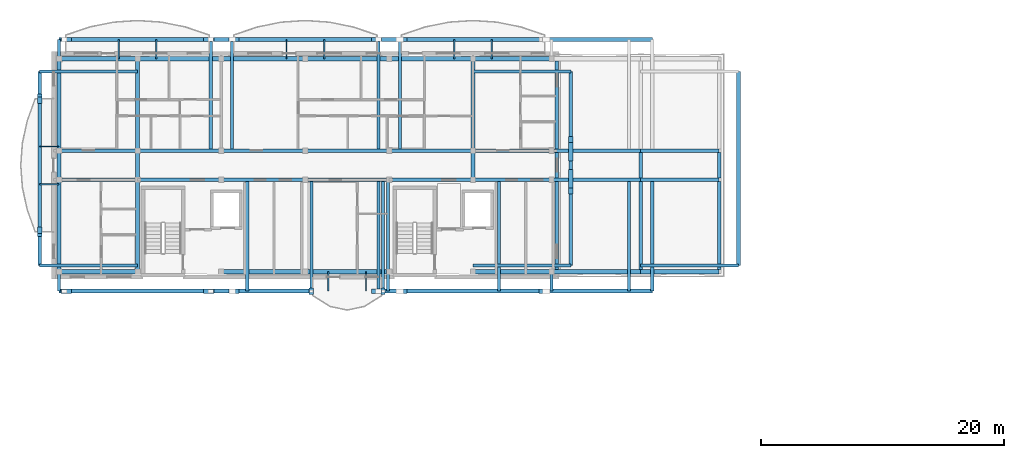
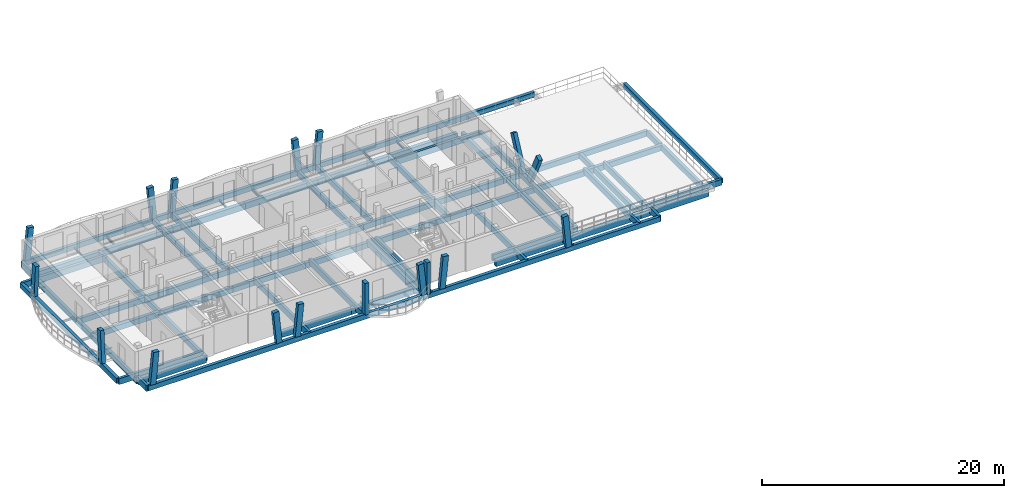
# One storey, part 5 of 42: 78 beams, 17 members.
"""IFC4 building model written with IfcOpenShell, lengths in metres."""

from ifc_helpers import new_model, si_unit, direction, frame, origin, origin_2d, place, context, subcontext, project, spatial, rectangle, i_section, extrude, material, material_profile, profile_set, type_object, element, save


model = new_model("IFC4")

# Units and contexts
model_context = context("Model", 3, precision=1e-05, world=origin(), true_north=direction((0.0, 1.0)))
body_context = subcontext(model_context, "Body", "Model", "MODEL_VIEW")
ifc_project = project(units=[si_unit("LENGTHUNIT", "METRE"), si_unit("AREAUNIT", "SQUARE_METRE"), si_unit("VOLUMEUNIT", "CUBIC_METRE"), si_unit("PLANEANGLEUNIT", "RADIAN"), si_unit("MASSUNIT", "GRAM", prefix="KILO")], contexts=[model_context])

# Site, building, storey
site_placement = place(None, origin())
site = spatial("IfcSite", under=ifc_project, at=site_placement, CompositionType="ELEMENT")
building_placement = place(site_placement, origin())
building = spatial("IfcBuilding", under=site, at=building_placement, Name="Zavelmont Quarter", CompositionType="ELEMENT")
storey_placement = place(building_placement, frame((0.0, 0.0, 24.0)))
storey = spatial("IfcBuildingStorey", under=building, at=storey_placement, Name="L07", CompositionType="ELEMENT", Elevation=24.0)

# Beams
ifc_material_1 = material(Name="Concrete C35/45", Category="concrete")
ifc_material_profile_1 = material_profile(ifc_material_1, rectangle(XDim=0.35009765625, YDim=0.60009765625, at=origin_2d()), Name="RC350X600")
ifc_profile_set_1 = profile_set([ifc_material_profile_1], Name="Concrete C35/45")
beam_type_1 = type_object("IfcBeamType", Name="BM01", PredefinedType="SPANDREL", material=ifc_profile_set_1)
beam_1_placement = place(storey_placement, frame((0.43994140625, 98.0400390625, -0.550048828125), z_axis=(1.0, 0.0, 0.0), x_axis=(0.0, 1.0, 0.0)))
element("IfcBeam", 1, at=beam_1_placement, inside=storey, type_object=beam_type_1, Name="L07 beam BM01 1/P to 2/P", PredefinedType="SPANDREL", context=body_context, shape_type="SweptSolid", body=[
    extrude(rectangle(XDim=0.35009765625, YDim=0.60009765625, at=origin_2d()), origin(), (0.0, 0.0, 1.0), 6.4599609375),
])
beam_2_placement = place(storey_placement, frame((13.800048828125, 98.0400390625, -0.550048828125), z_axis=(1.0, 0.0, 0.0), x_axis=(0.0, 1.0, 0.0)))
element("IfcBeam", 2, at=beam_2_placement, inside=storey, type_object=beam_type_1, Name="L07 beam BM01 3/P to 4/P", PredefinedType="SPANDREL", context=body_context, shape_type="SweptSolid", body=[
    extrude(rectangle(XDim=0.35009765625, YDim=0.60009765625, at=origin_2d()), origin(), (0.0, 0.0, 1.0), 6.89990234375),
])
beam_3_placement = place(storey_placement, frame((20.699951171875, 98.0400390625, -0.550048828125), z_axis=(1.0, 0.0, 0.0), x_axis=(0.0, 1.0, 0.0)))
element("IfcBeam", 3, at=beam_3_placement, inside=storey, type_object=beam_type_1, Name="L07 beam BM01 4/P to 5/P", PredefinedType="SPANDREL", context=body_context, shape_type="SweptSolid", body=[
    extrude(rectangle(XDim=0.35009765625, YDim=0.60009765625, at=origin_2d()), origin(), (0.0, 0.0, 1.0), 6.900146484375),
])
beam_4_placement = place(storey_placement, frame((34.5, 98.0400390625, -0.550048828125), z_axis=(1.0, 0.0, 0.0), x_axis=(0.0, 1.0, 0.0)))
element("IfcBeam", 4, at=beam_4_placement, inside=storey, type_object=beam_type_1, Name="L07 beam BM01 6/P to 7/P", PredefinedType="SPANDREL", context=body_context, shape_type="SweptSolid", body=[
    extrude(rectangle(XDim=0.35009765625, YDim=0.60009765625, at=origin_2d()), origin(), (0.0, 0.0, 1.0), 6.4599609375),
])
beam_5_placement = place(storey_placement, frame((40.9599609375, 98.0400390625, -0.550048828125), z_axis=(1.0, 0.0, 0.0), x_axis=(0.0, 1.0, 0.0)))
element("IfcBeam", 5, at=beam_5_placement, inside=storey, type_object=beam_type_1, Name="L07 beam BM01 7/P to 8/P", PredefinedType="SPANDREL", context=body_context, shape_type="SweptSolid", body=[
    extrude(rectangle(XDim=0.35009765625, YDim=0.60009765625, at=origin_2d()), origin(), (0.0, 0.0, 1.0), 7.340087890625),
])
for number, where, z_axis, x_axis, name in (
    (6, (48.300048828125, 98.0400390625, -0.550048828125), (1.0, 0.0, 0.0), (0.0, 1.0, 0.0), "L07 beam BM01 8/P to 9/P"),
    (7, (0.43994140625, 115.56005859375, -0.550048828125), (1.0, 0.0, 0.0), (0.0, 1.0, 0.0), "L07 beam BM01 1/S to 2/S"),
):
    element("IfcBeam", number, at=place(storey_placement, frame(where, z_axis=z_axis, x_axis=x_axis)), inside=storey, type_object=beam_type_1, Name=name, PredefinedType="SPANDREL", context=body_context, shape_type="SweptSolid", body=[
        extrude(rectangle(XDim=0.35009765625, YDim=0.60009765625, at=origin_2d()), origin(), (0.0, 0.0, 1.0), 6.4599609375),
    ])
beam_6_placement = place(storey_placement, frame((6.89990234375, 115.56005859375, -0.550048828125), z_axis=(1.0, 0.0, 0.0), x_axis=(0.0, 1.0, 0.0)))
element("IfcBeam", 8, at=beam_6_placement, inside=storey, type_object=beam_type_1, Name="L07 beam BM01 2/S to 3/S", PredefinedType="SPANDREL", context=body_context, shape_type="SweptSolid", body=[
    extrude(rectangle(XDim=0.35009765625, YDim=0.60009765625, at=origin_2d()), origin(), (0.0, 0.0, 1.0), 6.900146484375),
])
beam_7_placement = place(storey_placement, frame((13.800048828125, 115.56005859375, -0.550048828125), z_axis=(1.0, 0.0, 0.0), x_axis=(0.0, 1.0, 0.0)))
element("IfcBeam", 9, at=beam_7_placement, inside=storey, type_object=beam_type_1, Name="L07 beam BM01 3/S to 4/S", PredefinedType="SPANDREL", context=body_context, shape_type="SweptSolid", body=[
    extrude(rectangle(XDim=0.35009765625, YDim=0.60009765625, at=origin_2d()), origin(), (0.0, 0.0, 1.0), 6.89990234375),
])
beam_8_placement = place(storey_placement, frame((20.699951171875, 115.56005859375, -0.550048828125), z_axis=(1.0, 0.0, 0.0), x_axis=(0.0, 1.0, 0.0)))
element("IfcBeam", 10, at=beam_8_placement, inside=storey, type_object=beam_type_1, Name="L07 beam BM01 4/S to 5/S", PredefinedType="SPANDREL", context=body_context, shape_type="SweptSolid", body=[
    extrude(rectangle(XDim=0.35009765625, YDim=0.60009765625, at=origin_2d()), origin(), (0.0, 0.0, 1.0), 6.900146484375),
])
beam_9_placement = place(storey_placement, frame((27.60009765625, 115.56005859375, -0.550048828125), z_axis=(1.0, 0.0, 0.0), x_axis=(0.0, 1.0, 0.0)))
element("IfcBeam", 11, at=beam_9_placement, inside=storey, type_object=beam_type_1, Name="L07 beam BM01 5/S to 6/S", PredefinedType="SPANDREL", context=body_context, shape_type="SweptSolid", body=[
    extrude(rectangle(XDim=0.35009765625, YDim=0.60009765625, at=origin_2d()), origin(), (0.0, 0.0, 1.0), 6.89990234375),
])
beam_10_placement = place(storey_placement, frame((34.5, 115.56005859375, -0.550048828125), z_axis=(1.0, 0.0, 0.0), x_axis=(0.0, 1.0, 0.0)))
element("IfcBeam", 12, at=beam_10_placement, inside=storey, type_object=beam_type_1, Name="L07 beam BM01 6/S to 7/S", PredefinedType="SPANDREL", context=body_context, shape_type="SweptSolid", body=[
    extrude(rectangle(XDim=0.35009765625, YDim=0.60009765625, at=origin_2d()), origin(), (0.0, 0.0, 1.0), 6.4599609375),
])
ifc_material_profile_2 = material_profile(ifc_material_1, rectangle(XDim=0.300048828125, YDim=0.550048828125, at=origin_2d()), Name="RC300X550")
ifc_profile_set_2 = profile_set([ifc_material_profile_2], Name="Concrete C35/45")
beam_type_2 = type_object("IfcBeamType", Name="BM02", PredefinedType="SPANDREL", material=ifc_profile_set_2)
beam_11_placement = place(storey_placement, frame((0.43994140625, 105.60009765625, -0.52490234375), z_axis=(1.0, 0.0, 0.0), x_axis=(0.0, 1.0, 0.0)))
element("IfcBeam", 13, at=beam_11_placement, inside=storey, type_object=beam_type_2, Name="L07 beam BM02 1/Q to 2/Q", PredefinedType="SPANDREL", context=body_context, shape_type="SweptSolid", body=[
    extrude(rectangle(XDim=0.300048828125, YDim=0.550048828125, at=origin_2d()), origin(), (0.0, 0.0, 1.0), 6.4599609375),
])
beam_12_placement = place(storey_placement, frame((6.89990234375, 105.60009765625, -0.52490234375), z_axis=(1.0, 0.0, 0.0), x_axis=(0.0, 1.0, 0.0)))
element("IfcBeam", 14, at=beam_12_placement, inside=storey, type_object=beam_type_2, Name="L07 beam BM02 2/Q to 3/Q", PredefinedType="SPANDREL", context=body_context, shape_type="SweptSolid", body=[
    extrude(rectangle(XDim=0.300048828125, YDim=0.550048828125, at=origin_2d()), origin(), (0.0, 0.0, 1.0), 6.900146484375),
])
beam_13_placement = place(storey_placement, frame((13.800048828125, 105.60009765625, -0.52490234375), z_axis=(1.0, 0.0, 0.0), x_axis=(0.0, 1.0, 0.0)))
element("IfcBeam", 15, at=beam_13_placement, inside=storey, type_object=beam_type_2, Name="L07 beam BM02 3/Q to 4/Q", PredefinedType="SPANDREL", context=body_context, shape_type="SweptSolid", body=[
    extrude(rectangle(XDim=0.300048828125, YDim=0.550048828125, at=origin_2d()), origin(), (0.0, 0.0, 1.0), 6.89990234375),
])
beam_14_placement = place(storey_placement, frame((20.699951171875, 105.60009765625, -0.52490234375), z_axis=(1.0, 0.0, 0.0), x_axis=(0.0, 1.0, 0.0)))
element("IfcBeam", 16, at=beam_14_placement, inside=storey, type_object=beam_type_2, Name="L07 beam BM02 4/Q to 5/Q", PredefinedType="SPANDREL", context=body_context, shape_type="SweptSolid", body=[
    extrude(rectangle(XDim=0.300048828125, YDim=0.550048828125, at=origin_2d()), origin(), (0.0, 0.0, 1.0), 6.900146484375),
])
beam_15_placement = place(storey_placement, frame((27.60009765625, 105.60009765625, -0.52490234375), z_axis=(1.0, 0.0, 0.0), x_axis=(0.0, 1.0, 0.0)))
element("IfcBeam", 17, at=beam_15_placement, inside=storey, type_object=beam_type_2, Name="L07 beam BM02 5/Q to 6/Q", PredefinedType="SPANDREL", context=body_context, shape_type="SweptSolid", body=[
    extrude(rectangle(XDim=0.300048828125, YDim=0.550048828125, at=origin_2d()), origin(), (0.0, 0.0, 1.0), 6.89990234375),
])
beam_16_placement = place(storey_placement, frame((34.5, 105.60009765625, -0.52490234375), z_axis=(1.0, 0.0, 0.0), x_axis=(0.0, 1.0, 0.0)))
element("IfcBeam", 18, at=beam_16_placement, inside=storey, type_object=beam_type_2, Name="L07 beam BM02 6/Q to 7/Q", PredefinedType="SPANDREL", context=body_context, shape_type="SweptSolid", body=[
    extrude(rectangle(XDim=0.300048828125, YDim=0.550048828125, at=origin_2d()), origin(), (0.0, 0.0, 1.0), 6.4599609375),
])
beam_17_placement = place(storey_placement, frame((40.9599609375, 105.60009765625, -0.52490234375), z_axis=(1.0, 0.0, 0.0), x_axis=(0.0, 1.0, 0.0)))
element("IfcBeam", 19, at=beam_17_placement, inside=storey, type_object=beam_type_2, Name="L07 beam BM02 7/Q to 8/Q", PredefinedType="SPANDREL", context=body_context, shape_type="SweptSolid", body=[
    extrude(rectangle(XDim=0.300048828125, YDim=0.550048828125, at=origin_2d()), origin(), (0.0, 0.0, 1.0), 7.340087890625),
])
for number, where, z_axis, x_axis, name in (
    (20, (48.300048828125, 105.60009765625, -0.52490234375), (1.0, 0.0, 0.0), (0.0, 1.0, 0.0), "L07 beam BM02 8/Q to 9/Q"),
    (21, (0.43994140625, 108.0, -0.52490234375), (1.0, 0.0, 0.0), (0.0, 1.0, 0.0), "L07 beam BM02 1/R to 2/R"),
):
    element("IfcBeam", number, at=place(storey_placement, frame(where, z_axis=z_axis, x_axis=x_axis)), inside=storey, type_object=beam_type_2, Name=name, PredefinedType="SPANDREL", context=body_context, shape_type="SweptSolid", body=[
        extrude(rectangle(XDim=0.300048828125, YDim=0.550048828125, at=origin_2d()), origin(), (0.0, 0.0, 1.0), 6.4599609375),
    ])
beam_18_placement = place(storey_placement, frame((6.89990234375, 108.0, -0.52490234375), z_axis=(1.0, 0.0, 0.0), x_axis=(0.0, 1.0, 0.0)))
element("IfcBeam", 22, at=beam_18_placement, inside=storey, type_object=beam_type_2, Name="L07 beam BM02 2/R to 3/R", PredefinedType="SPANDREL", context=body_context, shape_type="SweptSolid", body=[
    extrude(rectangle(XDim=0.300048828125, YDim=0.550048828125, at=origin_2d()), origin(), (0.0, 0.0, 1.0), 6.900146484375),
])
beam_19_placement = place(storey_placement, frame((13.800048828125, 108.0, -0.52490234375), z_axis=(1.0, 0.0, 0.0), x_axis=(0.0, 1.0, 0.0)))
element("IfcBeam", 23, at=beam_19_placement, inside=storey, type_object=beam_type_2, Name="L07 beam BM02 3/R to 4/R", PredefinedType="SPANDREL", context=body_context, shape_type="SweptSolid", body=[
    extrude(rectangle(XDim=0.300048828125, YDim=0.550048828125, at=origin_2d()), origin(), (0.0, 0.0, 1.0), 6.89990234375),
])
beam_20_placement = place(storey_placement, frame((20.699951171875, 108.0, -0.52490234375), z_axis=(1.0, 0.0, 0.0), x_axis=(0.0, 1.0, 0.0)))
element("IfcBeam", 24, at=beam_20_placement, inside=storey, type_object=beam_type_2, Name="L07 beam BM02 4/R to 5/R", PredefinedType="SPANDREL", context=body_context, shape_type="SweptSolid", body=[
    extrude(rectangle(XDim=0.300048828125, YDim=0.550048828125, at=origin_2d()), origin(), (0.0, 0.0, 1.0), 6.900146484375),
])
beam_21_placement = place(storey_placement, frame((27.60009765625, 108.0, -0.52490234375), z_axis=(1.0, 0.0, 0.0), x_axis=(0.0, 1.0, 0.0)))
element("IfcBeam", 25, at=beam_21_placement, inside=storey, type_object=beam_type_2, Name="L07 beam BM02 5/R to 6/R", PredefinedType="SPANDREL", context=body_context, shape_type="SweptSolid", body=[
    extrude(rectangle(XDim=0.300048828125, YDim=0.550048828125, at=origin_2d()), origin(), (0.0, 0.0, 1.0), 6.89990234375),
])
beam_22_placement = place(storey_placement, frame((34.5, 108.0, -0.52490234375), z_axis=(1.0, 0.0, 0.0), x_axis=(0.0, 1.0, 0.0)))
element("IfcBeam", 26, at=beam_22_placement, inside=storey, type_object=beam_type_2, Name="L07 beam BM02 6/R to 7/R", PredefinedType="SPANDREL", context=body_context, shape_type="SweptSolid", body=[
    extrude(rectangle(XDim=0.300048828125, YDim=0.550048828125, at=origin_2d()), origin(), (0.0, 0.0, 1.0), 6.4599609375),
])
beam_23_placement = place(storey_placement, frame((40.9599609375, 108.0, -0.52490234375), z_axis=(1.0, 0.0, 0.0), x_axis=(0.0, 1.0, 0.0)))
element("IfcBeam", 27, at=beam_23_placement, inside=storey, type_object=beam_type_2, Name="L07 beam BM02 7/R to 8/R", PredefinedType="SPANDREL", context=body_context, shape_type="SweptSolid", body=[
    extrude(rectangle(XDim=0.300048828125, YDim=0.550048828125, at=origin_2d()), origin(), (0.0, 0.0, 1.0), 7.340087890625),
])
beam_24_placement = place(storey_placement, frame((48.300048828125, 108.0, -0.52490234375), z_axis=(1.0, 0.0, 0.0), x_axis=(0.0, 1.0, 0.0)))
element("IfcBeam", 28, at=beam_24_placement, inside=storey, type_object=beam_type_2, Name="L07 beam BM02 8/R to 9/R", PredefinedType="SPANDREL", context=body_context, shape_type="SweptSolid", body=[
    extrude(rectangle(XDim=0.300048828125, YDim=0.550048828125, at=origin_2d()), origin(), (0.0, 0.0, 1.0), 6.4599609375),
])
beam_25_placement = place(storey_placement, frame((0.43994140625, 98.0400390625, -0.52490234375), z_axis=(0.0, 1.0, 0.0), x_axis=(-1.0, 0.0, 0.0)))
element("IfcBeam", 29, at=beam_25_placement, inside=storey, type_object=beam_type_2, Name="L07 beam BM02 1/P to 1/Q", PredefinedType="SPANDREL", context=body_context, shape_type="SweptSolid", body=[
    extrude(rectangle(XDim=0.300048828125, YDim=0.550048828125, at=origin_2d()), origin(), (0.0, 0.0, 1.0), 7.56005859375),
])
beam_26_placement = place(storey_placement, frame((0.43994140625, 105.60009765625, -0.52490234375), z_axis=(0.0, 1.0, 0.0), x_axis=(-1.0, 0.0, 0.0)))
element("IfcBeam", 30, at=beam_26_placement, inside=storey, type_object=beam_type_2, Name="L07 beam BM02 1/Q to 1/R", PredefinedType="SPANDREL", context=body_context, shape_type="SweptSolid", body=[
    extrude(rectangle(XDim=0.300048828125, YDim=0.550048828125, at=origin_2d()), origin(), (0.0, 0.0, 1.0), 2.39990234375),
])
for number, where, z_axis, x_axis, name in (
    (31, (0.43994140625, 108.0, -0.52490234375), (0.0, 1.0, 0.0), (-1.0, 0.0, 0.0), "L07 beam BM02 1/R to 1/S"),
    (32, (6.89990234375, 98.0400390625, -0.52490234375), (0.0, 1.0, 0.0), (-1.0, 0.0, 0.0), "L07 beam BM02 2/P to 2/Q"),
):
    element("IfcBeam", number, at=place(storey_placement, frame(where, z_axis=z_axis, x_axis=x_axis)), inside=storey, type_object=beam_type_2, Name=name, PredefinedType="SPANDREL", context=body_context, shape_type="SweptSolid", body=[
        extrude(rectangle(XDim=0.300048828125, YDim=0.550048828125, at=origin_2d()), origin(), (0.0, 0.0, 1.0), 7.56005859375),
    ])
beam_27_placement = place(storey_placement, frame((6.89990234375, 105.60009765625, -0.52490234375), z_axis=(0.0, 1.0, 0.0), x_axis=(-1.0, 0.0, 0.0)))
element("IfcBeam", 33, at=beam_27_placement, inside=storey, type_object=beam_type_2, Name="L07 beam BM02 2/Q to 2/R", PredefinedType="SPANDREL", context=body_context, shape_type="SweptSolid", body=[
    extrude(rectangle(XDim=0.300048828125, YDim=0.550048828125, at=origin_2d()), origin(), (0.0, 0.0, 1.0), 2.39990234375),
])
beam_28_placement = place(storey_placement, frame((6.89990234375, 108.0, -0.52490234375), z_axis=(0.0, 1.0, 0.0), x_axis=(-1.0, 0.0, 0.0)))
element("IfcBeam", 34, at=beam_28_placement, inside=storey, type_object=beam_type_2, Name="L07 beam BM02 2/R to 2/S", PredefinedType="SPANDREL", context=body_context, shape_type="SweptSolid", body=[
    extrude(rectangle(XDim=0.300048828125, YDim=0.550048828125, at=origin_2d()), origin(), (0.0, 0.0, 1.0), 7.56005859375),
])
beam_29_placement = place(storey_placement, frame((34.5, 105.60009765625, -0.52490234375), z_axis=(0.0, 1.0, 0.0), x_axis=(-1.0, 0.0, 0.0)))
element("IfcBeam", 35, at=beam_29_placement, inside=storey, type_object=beam_type_2, Name="L07 beam BM02 6/Q to 6/R", PredefinedType="SPANDREL", context=body_context, shape_type="SweptSolid", body=[
    extrude(rectangle(XDim=0.300048828125, YDim=0.550048828125, at=origin_2d()), origin(), (0.0, 0.0, 1.0), 2.39990234375),
])
beam_30_placement = place(storey_placement, frame((34.5, 108.0, -0.52490234375), z_axis=(0.0, 1.0, 0.0), x_axis=(-1.0, 0.0, 0.0)))
element("IfcBeam", 36, at=beam_30_placement, inside=storey, type_object=beam_type_2, Name="L07 beam BM02 6/R to 6/S", PredefinedType="SPANDREL", context=body_context, shape_type="SweptSolid", body=[
    extrude(rectangle(XDim=0.300048828125, YDim=0.550048828125, at=origin_2d()), origin(), (0.0, 0.0, 1.0), 7.56005859375),
])
beam_31_placement = place(storey_placement, frame((41.39990234375, 98.205078125, -0.52490234375), z_axis=(0.0, 1.0, 0.0), x_axis=(-1.0, 0.0, 0.0)))
element("IfcBeam", 37, at=beam_31_placement, inside=storey, type_object=beam_type_2, Name="L07 beam BM02 7/P to 7/Q", PredefinedType="SPANDREL", context=body_context, shape_type="SweptSolid", body=[
    extrude(rectangle(XDim=0.300048828125, YDim=0.550048828125, at=origin_2d()), origin(), (0.0, 0.0, 1.0), 7.2548828125),
])
beam_32_placement = place(storey_placement, frame((41.39990234375, 105.739990234375, -0.52490234375), z_axis=(0.0, 1.0, 0.0), x_axis=(-1.0, 0.0, 0.0)))
element("IfcBeam", 38, at=beam_32_placement, inside=storey, type_object=beam_type_2, Name="L07 beam BM02 7/Q to 7/R", PredefinedType="SPANDREL", context=body_context, shape_type="SweptSolid", body=[
    extrude(rectangle(XDim=0.300048828125, YDim=0.550048828125, at=origin_2d()), origin(), (0.0, 0.0, 1.0), 2.1201171875),
])
beam_33_placement = place(storey_placement, frame((41.39990234375, 108.139892578125, -0.52490234375), z_axis=(0.0, 1.0, 0.0), x_axis=(-1.0, 0.0, 0.0)))
element("IfcBeam", 39, at=beam_33_placement, inside=storey, type_object=beam_type_2, Name="L07 beam BM02 7/R to 7/S", PredefinedType="SPANDREL", context=body_context, shape_type="SweptSolid", body=[
    extrude(rectangle(XDim=0.300048828125, YDim=0.550048828125, at=origin_2d()), origin(), (0.0, 0.0, 1.0), 7.255126953125),
])
beam_34_placement = place(storey_placement, frame((48.300048828125, 98.205078125, -0.52490234375), z_axis=(0.0, 1.0, 0.0), x_axis=(-1.0, 0.0, 0.0)))
element("IfcBeam", 40, at=beam_34_placement, inside=storey, type_object=beam_type_2, Name="L07 beam BM02 8/P to 8/Q", PredefinedType="SPANDREL", context=body_context, shape_type="SweptSolid", body=[
    extrude(rectangle(XDim=0.300048828125, YDim=0.550048828125, at=origin_2d()), origin(), (0.0, 0.0, 1.0), 7.2548828125),
])
beam_35_placement = place(storey_placement, frame((48.300048828125, 105.739990234375, -0.52490234375), z_axis=(0.0, 1.0, 0.0), x_axis=(-1.0, 0.0, 0.0)))
element("IfcBeam", 41, at=beam_35_placement, inside=storey, type_object=beam_type_2, Name="L07 beam BM02 8/Q to 8/R", PredefinedType="SPANDREL", context=body_context, shape_type="SweptSolid", body=[
    extrude(rectangle(XDim=0.300048828125, YDim=0.550048828125, at=origin_2d()), origin(), (0.0, 0.0, 1.0), 2.1201171875),
])
beam_36_placement = place(storey_placement, frame((54.760009765625, 98.205078125, -0.52490234375), z_axis=(0.0, 1.0, 0.0), x_axis=(-1.0, 0.0, 0.0)))
element("IfcBeam", 42, at=beam_36_placement, inside=storey, type_object=beam_type_2, Name="L07 beam BM02 9/P to 9/Q", PredefinedType="SPANDREL", context=body_context, shape_type="SweptSolid", body=[
    extrude(rectangle(XDim=0.300048828125, YDim=0.550048828125, at=origin_2d()), origin(), (0.0, 0.0, 1.0), 7.2548828125),
])
beam_37_placement = place(storey_placement, frame((54.760009765625, 105.739990234375, -0.52490234375), z_axis=(0.0, 1.0, 0.0), x_axis=(-1.0, 0.0, 0.0)))
element("IfcBeam", 43, at=beam_37_placement, inside=storey, type_object=beam_type_2, Name="L07 beam BM02 9/Q to 9/R", PredefinedType="SPANDREL", context=body_context, shape_type="SweptSolid", body=[
    extrude(rectangle(XDim=0.300048828125, YDim=0.550048828125, at=origin_2d()), origin(), (0.0, 0.0, 1.0), 2.1201171875),
])
ifc_material_profile_3 = material_profile(ifc_material_1, rectangle(XDim=0.300048828125, YDim=0.5, at=origin_2d()), Name="RC300X500")
ifc_profile_set_3 = profile_set([ifc_material_profile_3], Name="Concrete C35/45")
beam_type_3 = type_object("IfcBeamType", Name="BM03", PredefinedType="BEAM", material=ifc_profile_set_3)
for number, where, z_axis, x_axis, name in (
    (44, (0.43994140625, 117.14990234375, -0.25), (1.0, 0.0, 0.0), (0.0, 1.0, 0.0), "L07 beam BM03 1/S to 8/S"),
    (45, (0.43994140625, 96.449951171875, -0.25), (1.0, 0.0, 0.0), (0.0, 1.0, 0.0), "L07 beam BM03 1/P to 8/P"),
):
    element("IfcBeam", number, at=place(storey_placement, frame(where, z_axis=z_axis, x_axis=x_axis)), inside=storey, type_object=beam_type_3, Name=name, PredefinedType="BEAM", context=body_context, shape_type="SweptSolid", body=[
        extrude(rectangle(XDim=0.300048828125, YDim=0.5, at=origin_2d()), origin(), (0.0, 0.0, 1.0), 48.81005859375),
    ])
for number, where, z_axis, x_axis, name in (
    (46, (-1.14990234375, 98.550048828125, -0.25), (0.0, 1.0, 0.0), (-1.0, 0.0, 0.0), "L07 beam BM03 1/P to 1/S"),
    (47, (56.35009765625, 98.550048828125, -0.25), (0.0, 1.0, 0.0), (-1.0, 0.0, 0.0), "L07 beam BM03 9/P to 9/S"),
    (48, (42.550048828125, 98.550048828125, -0.25), (0.0, 1.0, 0.0), (-1.0, 0.0, 0.0), "L07 beam BM03 7/P to 7/S"),
):
    element("IfcBeam", number, at=place(storey_placement, frame(where, z_axis=z_axis, x_axis=x_axis)), inside=storey, type_object=beam_type_3, Name=name, PredefinedType="BEAM", context=body_context, shape_type="SweptSolid", body=[
        extrude(rectangle(XDim=0.300048828125, YDim=0.5, at=origin_2d()), origin(), (0.0, 0.0, 1.0), 15.949951171875),
    ])
ifc_material_2 = material(Name="Steel S355", Category="steel")
ifc_material_profile_4 = material_profile(ifc_material_2, i_section(OverallWidth=0.110107421875, OverallDepth=0.219970703125, WebThickness=0.005859375, FlangeThickness=0.00927734375, at=origin_2d()), Name="IPE 220")
ifc_profile_set_4 = profile_set([ifc_material_profile_4], Name="Steel S355")
beam_type_4 = type_object("IfcBeamType", Name="BM15", PredefinedType="JOIST", material=ifc_profile_set_4)
for number, where, z_axis, x_axis, name in (
    (49, (5.35009765625, 115.56005859375, -0.362060546875), (0.0, 1.0, 0.0), (-1.0, 0.0, 0.0), "L07 beam BM15 2/S to 2/S"),
    (50, (8.449951171875, 115.56005859375, -0.362060546875), (0.0, 1.0, 0.0), (-1.0, 0.0, 0.0), "L07 beam BM15 2/S to 2/S"),
    (51, (19.14990234375, 115.56005859375, -0.366943359375), (0.0, 1.0, 0.0), (-1.0, 0.0, 0.0), "L07 beam BM15 4/S to 4/S"),
    (52, (22.25, 115.56005859375, -0.366943359375), (0.0, 1.0, 0.0), (-1.0, 0.0, 0.0), "L07 beam BM15 4/S to 4/S"),
    (53, (32.949951171875, 115.56005859375, -0.362060546875), (0.0, 1.0, 0.0), (-1.0, 0.0, 0.0), "L07 beam BM15 6/S to 6/S"),
    (54, (36.050048828125, 115.56005859375, -0.362060546875), (0.0, 1.0, 0.0), (-1.0, 0.0, 0.0), "L07 beam BM15 6/S to 6/S"),
    (55, (0.43994140625, 105.25, -0.366943359375), (-1.0, 0.0, 0.0), (0.0, -1.0, 0.0), "L07 beam BM15 1/Q to 1/Q"),
    (56, (0.43994140625, 108.35009765625, -0.366943359375), (-1.0, 0.0, 0.0), (0.0, -1.0, 0.0), "L07 beam BM15 1/R to 1/R"),
):
    element("IfcBeam", number, at=place(storey_placement, frame(where, z_axis=z_axis, x_axis=x_axis)), inside=storey, type_object=beam_type_4, Name=name, PredefinedType="JOIST", context=body_context, shape_type="SweptSolid", body=[
        extrude(i_section(OverallWidth=0.110107421875, OverallDepth=0.219970703125, WebThickness=0.005859375, FlangeThickness=0.00927734375, at=origin_2d()), origin(), (0.0, 0.0, 1.0), 1.58984375),
    ])
for number, where, z_axis, x_axis, name in (
    (57, (22.60009765625, 98.0400390625, -0.362060546875), (0.0, -1.0, 0.0), (1.0, 0.0, 0.0), "L07 beam BM15 4/P to 4/P"),
    (58, (25.699951171875, 98.0400390625, -0.362060546875), (0.0, -1.0, 0.0), (1.0, 0.0, 0.0), "L07 beam BM15 5/P to 5/P"),
):
    element("IfcBeam", number, at=place(storey_placement, frame(where, z_axis=z_axis, x_axis=x_axis)), inside=storey, type_object=beam_type_4, Name=name, PredefinedType="JOIST", context=body_context, shape_type="SweptSolid", body=[
        extrude(i_section(OverallWidth=0.110107421875, OverallDepth=0.219970703125, WebThickness=0.005859375, FlangeThickness=0.00927734375, at=origin_2d()), origin(), (0.0, 0.0, 1.0), 1.590087890625),
    ])
ifc_material_3 = material(Name="Concrete C40/50", Category="concrete")
ifc_material_profile_5 = material_profile(ifc_material_3, rectangle(XDim=0.25, YDim=0.60009765625, at=origin_2d()), Name="RC250X600")
ifc_profile_set_5 = profile_set([ifc_material_profile_5], Name="Concrete C40/50")
beam_type_5 = type_object("IfcBeamType", Name="BM18", PredefinedType="BEAM", material=ifc_profile_set_5)
beam_38_placement = place(storey_placement, frame((0.43994140625, 115.56005859375, -0.300048828125), z_axis=(0.0, 1.0, 0.0), x_axis=(-1.0, 0.0, 0.0)))
element("IfcBeam", 59, at=beam_38_placement, inside=storey, type_object=beam_type_5, Name="L07 beam BM18 1/S to 1/S", PredefinedType="BEAM", context=body_context, shape_type="SweptSolid", body=[
    extrude(rectangle(XDim=0.25, YDim=0.60009765625, at=origin_2d()), origin(), (0.0, 0.0, 1.0), 1.58984375),
])
for number, where, z_axis, x_axis, name in (
    (60, (12.921142578125, 108.0, -0.300048828125), (0.0, 1.0, 0.0), (-1.0, 0.0, 0.0), "L07 beam BM18 3/R to 3/S"),
    (61, (14.678955078125, 108.0, -0.300048828125), (0.0, 1.0, 0.0), (-1.0, 0.0, 0.0), "L07 beam BM18 3/R to 3/S"),
    (62, (26.72119140625, 108.0, -0.300048828125), (0.0, 1.0, 0.0), (-1.0, 0.0, 0.0), "L07 beam BM18 5/R to 5/S"),
    (63, (28.47900390625, 108.0, -0.300048828125), (0.0, 1.0, 0.0), (-1.0, 0.0, 0.0), "L07 beam BM18 5/R to 5/S"),
):
    element("IfcBeam", number, at=place(storey_placement, frame(where, z_axis=z_axis, x_axis=x_axis)), inside=storey, type_object=beam_type_5, Name=name, PredefinedType="BEAM", context=body_context, shape_type="SweptSolid", body=[
        extrude(rectangle(XDim=0.25, YDim=0.60009765625, at=origin_2d()), origin(), (0.0, 0.0, 1.0), 9.14990234375),
    ])
beam_39_placement = place(storey_placement, frame((0.43994140625, 98.0400390625, -0.300048828125), z_axis=(0.0, -1.0, 0.0), x_axis=(1.0, 0.0, 0.0)))
element("IfcBeam", 64, at=beam_39_placement, inside=storey, type_object=beam_type_5, Name="L07 beam BM18 1/P to 1/P", PredefinedType="BEAM", context=body_context, shape_type="SweptSolid", body=[
    extrude(rectangle(XDim=0.25, YDim=0.60009765625, at=origin_2d()), origin(), (0.0, 0.0, 1.0), 1.590087890625),
])
for number, where, z_axis, x_axis, name in (
    (65, (15.925048828125, 105.60009765625, -0.300048828125), (0.0, -1.0, 0.0), (1.0, 0.0, 0.0), "L07 beam BM18 3/Q to 3/P"),
    (66, (26.72119140625, 105.60009765625, -0.300048828125), (0.0, -1.0, 0.0), (1.0, 0.0, 0.0), "L07 beam BM18 5/Q to 5/P"),
    (67, (27.5, 105.60009765625, -0.300048828125), (0.0, -1.0, 0.0), (1.0, 0.0, 0.0), "L07 beam BM18 5/Q to 5/P"),
    (68, (36.625, 105.60009765625, -0.300048828125), (0.0, -1.0, 0.0), (1.0, 0.0, 0.0), "L07 beam BM18 6/Q to 6/P"),
):
    element("IfcBeam", number, at=place(storey_placement, frame(where, z_axis=z_axis, x_axis=x_axis)), inside=storey, type_object=beam_type_5, Name=name, PredefinedType="BEAM", context=body_context, shape_type="SweptSolid", body=[
        extrude(rectangle(XDim=0.25, YDim=0.60009765625, at=origin_2d()), origin(), (0.0, 0.0, 1.0), 9.150146484375),
    ])
beam_40_placement = place(storey_placement, frame((40.9599609375, 98.0400390625, -0.300048828125), z_axis=(0.0, -1.0, 0.0), x_axis=(1.0, 0.0, 0.0)))
element("IfcBeam", 69, at=beam_40_placement, inside=storey, type_object=beam_type_5, Name="L07 beam BM18 7/P to 7/P", PredefinedType="BEAM", context=body_context, shape_type="SweptSolid", body=[
    extrude(rectangle(XDim=0.25, YDim=0.60009765625, at=origin_2d()), origin(), (0.0, 0.0, 1.0), 1.590087890625),
])
for number, where, z_axis, x_axis, name in (
    (70, (47.35009765625, 105.60009765625, -0.300048828125), (0.0, -1.0, 0.0), (1.0, 0.0, 0.0), "L07 beam BM18 8/Q to 8/P"),
    (71, (49.25, 105.60009765625, -0.300048828125), (0.0, -1.0, 0.0), (1.0, 0.0, 0.0), "L07 beam BM18 8/Q to 8/P"),
    (72, (21.199951171875, 105.60009765625, -0.300048828125), (0.0, -1.0, 0.0), (1.0, 0.0, 0.0), "L07 beam BM18 4/Q to 4/P"),
    (73, (27.10009765625, 105.60009765625, -0.300048828125), (0.0, -1.0, 0.0), (1.0, 0.0, 0.0), "L07 beam BM18 5/Q to 5/P"),
):
    element("IfcBeam", number, at=place(storey_placement, frame(where, z_axis=z_axis, x_axis=x_axis)), inside=storey, type_object=beam_type_5, Name=name, PredefinedType="BEAM", context=body_context, shape_type="SweptSolid", body=[
        extrude(rectangle(XDim=0.25, YDim=0.60009765625, at=origin_2d()), origin(), (0.0, 0.0, 1.0), 9.150146484375),
    ])
for number, where, z_axis, x_axis, name in (
    (74, (6.89990234375, 98.550048828125, -0.300048828125), (-1.0, 0.0, 0.0), (0.0, -1.0, 0.0), "L07 beam BM18 2/P to 1/P"),
    (75, (6.89990234375, 114.5, -0.300048828125), (-1.0, 0.0, 0.0), (0.0, -1.0, 0.0), "L07 beam BM18 2/S to 1/S"),
):
    element("IfcBeam", number, at=place(storey_placement, frame(where, z_axis=z_axis, x_axis=x_axis)), inside=storey, type_object=beam_type_5, Name=name, PredefinedType="BEAM", context=body_context, shape_type="SweptSolid", body=[
        extrude(rectangle(XDim=0.25, YDim=0.60009765625, at=origin_2d()), origin(), (0.0, 0.0, 1.0), 8.0498046875),
    ])
for number, where, z_axis, x_axis, name in (
    (76, (48.300048828125, 98.550048828125, -0.300048828125), (1.0, 0.0, 0.0), (0.0, 1.0, 0.0), "L07 beam BM18 8/P to 9/P"),
    (77, (34.5, 98.550048828125, -0.300048828125), (1.0, 0.0, 0.0), (0.0, 1.0, 0.0), "L07 beam BM18 6/P to 7/P"),
    (78, (34.5, 114.5, -0.300048828125), (1.0, 0.0, 0.0), (0.0, 1.0, 0.0), "L07 beam BM18 6/S to 7/S"),
):
    element("IfcBeam", number, at=place(storey_placement, frame(where, z_axis=z_axis, x_axis=x_axis)), inside=storey, type_object=beam_type_5, Name=name, PredefinedType="BEAM", context=body_context, shape_type="SweptSolid", body=[
        extrude(rectangle(XDim=0.25, YDim=0.60009765625, at=origin_2d()), origin(), (0.0, 0.0, 1.0), 8.050048828125),
    ])

# Members
ifc_material_4 = material(Name="White architectural precast concrete C40/50", Category="concrete")
ifc_material_profile_6 = material_profile(ifc_material_4, rectangle(XDim=0.360107421875, YDim=0.5400390625, at=origin_2d()), Name="PCR280X420")
ifc_profile_set_6 = profile_set([ifc_material_profile_6], Name="White architectural precast concrete C40/50")
member_type = type_object("IfcMemberType", Name="VR02M", PredefinedType="CHORD", material=ifc_profile_set_6)
for number, where, z_axis, x_axis, name in (
    (79, (0.87890625, 117.14990234375, 0.0), (0.096819258742, 0.0, 0.995301979872), (0.0, 1.0, 0.0), "L07 member VR02M 1/S to 1/S"),
    (80, (12.921142578125, 117.14990234375, 0.0), (-0.096894482758, 0.0, 0.995294659491), (0.0, -1.0, 0.0), "L07 member VR02M 3/S to 3/S"),
    (81, (14.678955078125, 117.14990234375, 0.0), (0.096819258742, 0.0, 0.995301979872), (0.0, 1.0, 0.0), "L07 member VR02M 3/S to 3/S"),
    (82, (26.72119140625, 117.14990234375, 0.0), (-0.096894482758, 0.0, 0.995294659491), (0.0, -1.0, 0.0), "L07 member VR02M 5/S to 5/S"),
    (83, (28.47900390625, 117.14990234375, 0.0), (0.096819258742, 0.0, 0.995301979872), (0.0, 1.0, 0.0), "L07 member VR02M 5/S to 5/S"),
    (84, (0.87890625, 96.449951171875, 0.0), (0.096819258742, 0.0, 0.995301979872), (0.0, 1.0, 0.0), "L07 member VR02M 1/P to 1/P"),
    (85, (12.921142578125, 96.449951171875, 0.0), (-0.096894482758, 0.0, 0.995294659491), (0.0, -1.0, 0.0), "L07 member VR02M 3/P to 3/P"),
    (86, (14.678955078125, 96.449951171875, 0.0), (0.096819258742, 0.0, 0.995301979872), (0.0, 1.0, 0.0), "L07 member VR02M 3/P to 3/P"),
    (87, (26.72119140625, 96.449951171875, 0.0), (-0.096894482758, 0.0, 0.995294659491), (0.0, -1.0, 0.0), "L07 member VR02M 5/P to 5/P"),
    (88, (28.47900390625, 96.449951171875, 0.0), (0.096819258742, 0.0, 0.995301979872), (0.0, 1.0, 0.0), "L07 member VR02M 5/P to 5/P"),
    (89, (40.52099609375, 96.449951171875, 0.0), (-0.096819258742, 0.0, 0.995301979872), (0.0, -1.0, 0.0), "L07 member VR02M 7/P to 7/P"),
):
    element("IfcMember", number, at=place(storey_placement, frame(where, z_axis=z_axis, x_axis=x_axis)), inside=storey, type_object=member_type, Name=name, PredefinedType="CHORD", context=body_context, shape_type="SweptSolid", body=[
        extrude(rectangle(XDim=0.360107421875, YDim=0.5400390625, at=origin_2d()), origin(), (0.0, 0.0, 1.0), 3.215087890625),
    ])
for number, where, z_axis, x_axis, name in (
    (90, (21.199951171875, 96.449951171875, 0.0), (0.0, 0.0, 1.0), (1.0, 0.0, 0.0), "L07 member VR02M 4/P to 4/P"),
    (91, (27.10009765625, 96.449951171875, 0.0), (0.0, 0.0, 1.0), (1.0, 0.0, 0.0), "L07 member VR02M 5/P to 5/P"),
):
    element("IfcMember", number, at=place(storey_placement, frame(where, z_axis=z_axis, x_axis=x_axis)), inside=storey, type_object=member_type, Name=name, PredefinedType="CHORD", context=body_context, shape_type="SweptSolid", body=[
        extrude(rectangle(XDim=0.360107421875, YDim=0.5400390625, at=origin_2d()), origin(), (0.0, 0.0, 1.0), 3.199951171875),
    ])
for number, where, z_axis, x_axis, name in (
    (92, (-1.14990234375, 101.19873046875, 0.0), (0.0, 0.077359602583, 0.997003255706), (-1.0, 0.0, 0.0), "L07 member VR02M 1/P to 1/P"),
    (93, (-1.14990234375, 112.401123046875, 0.0), (0.0, -0.077359602583, 0.997003255706), (1.0, 0.0, 0.0), "L07 member VR02M 1/S to 1/S"),
):
    element("IfcMember", number, at=place(storey_placement, frame(where, z_axis=z_axis, x_axis=x_axis)), inside=storey, type_object=member_type, Name=name, PredefinedType="CHORD", context=body_context, shape_type="SweptSolid", body=[
        extrude(rectangle(XDim=0.360107421875, YDim=0.5400390625, at=origin_2d()), origin(), (0.0, 0.0, 1.0), 3.20947265625),
    ])
for number, where, z_axis, x_axis, name in (
    (94, (42.550048828125, 106.219970703125, 0.0), (0.0, -0.432990399053, 0.901398532464), (1.0, 0.0, 0.0), "L07 member VR02M 7/Q to 7/Q"),
    (95, (42.550048828125, 107.3798828125, 0.0), (0.0, 0.433046275379, 0.901371689915), (-1.0, 0.0, 0.0), "L07 member VR02M 7/R to 7/R"),
):
    element("IfcMember", number, at=place(storey_placement, frame(where, z_axis=z_axis, x_axis=x_axis)), inside=storey, type_object=member_type, Name=name, PredefinedType="CHORD", context=body_context, shape_type="SweptSolid", body=[
        extrude(rectangle(XDim=0.360107421875, YDim=0.5400390625, at=origin_2d()), origin(), (0.0, 0.0, 1.0), 3.550048828125),
    ])

save(model, "model.ifc")
